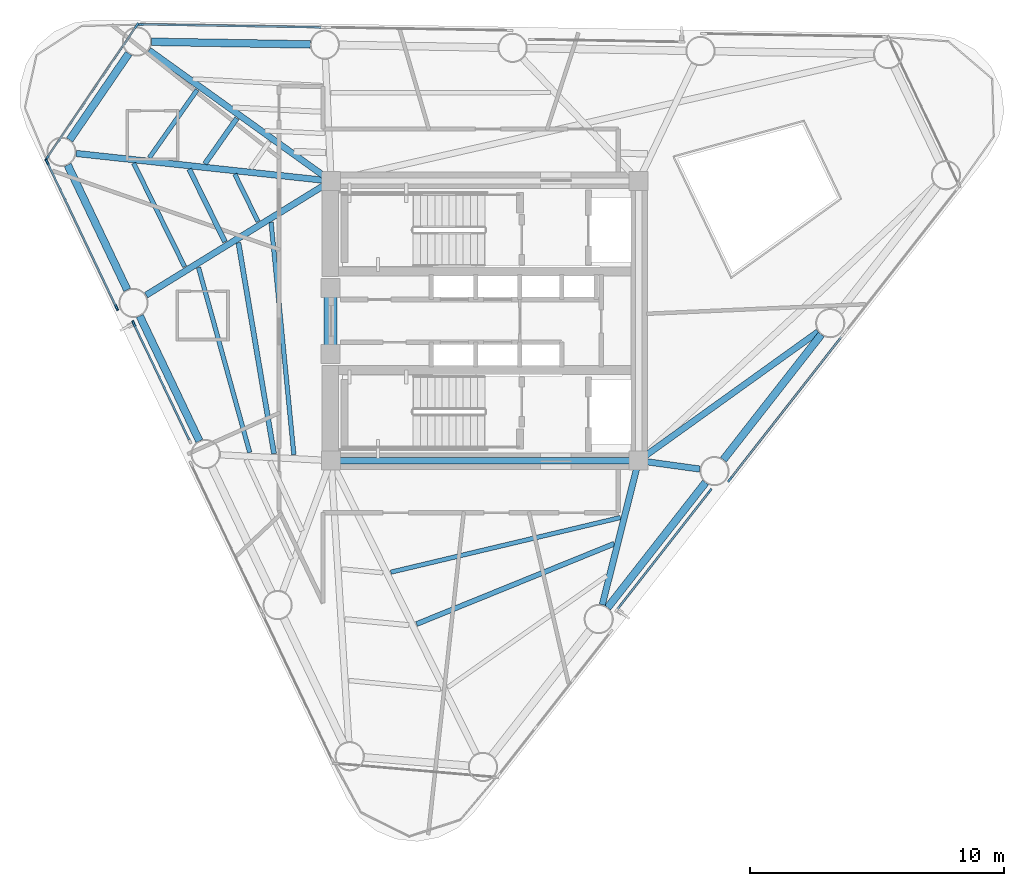
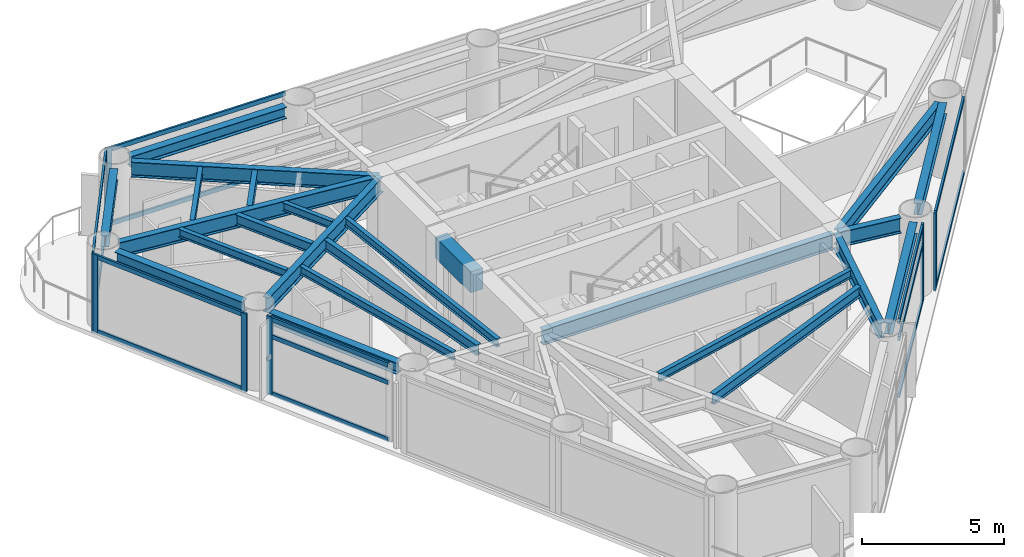
# One storey, part 2 of 9: 24 beams, 22 members, 6 elements without a shape of their own.
"""IFC4 building model written with IfcOpenShell, lengths in metres."""

from ifc_helpers import new_model, si_unit, direction, frame, origin, origin_2d, place, context, subcontext, project, spatial, rectangle, i_section, extrude, source, transform, mapped, material, layer, layer_set, material_profile, profile_set, type_object, element, aggregate, save


model = new_model("IFC4")

# Units and contexts
model_context = context("Model", 3, precision=1e-05, world=origin(), true_north=direction((0.0, 1.0)))
body_context = subcontext(model_context, "Body", "Model", "MODEL_VIEW")
ifc_project = project(units=[si_unit("LENGTHUNIT", "METRE"), si_unit("AREAUNIT", "SQUARE_METRE"), si_unit("VOLUMEUNIT", "CUBIC_METRE"), si_unit("PLANEANGLEUNIT", "RADIAN"), si_unit("MASSUNIT", "GRAM", prefix="KILO")], contexts=[model_context])

# Site, building, storey
site_placement = place(None, origin())
site = spatial("IfcSite", under=ifc_project, at=site_placement, CompositionType="ELEMENT")
building_placement = place(site_placement, origin())
building = spatial("IfcBuilding", under=site, at=building_placement, Name="Yunling Apex Tower", CompositionType="ELEMENT")
storey_placement = place(building_placement, frame((0.0, 0.0, 208.699951171875)))
storey = spatial("IfcBuildingStorey", under=building, at=storey_placement, Name="L51", CompositionType="ELEMENT", Elevation=208.699951171875)

# Beams
ifc_material_1 = material(Name="Concrete C50", Category="concrete")
ifc_material_profile_1 = material_profile(ifc_material_1, rectangle(XDim=0.5, YDim=0.89990234375, at=origin_2d()))
ifc_profile_set_1 = profile_set([ifc_material_profile_1], Name="Concrete C50")
beam_type_1 = type_object("IfcBeamType", Name="BC-CPL-2", PredefinedType="BEAM", material=ifc_profile_set_1)
shared_shape_1 = source(origin(), body_context, "Body", "SweptSolid", [
    extrude(rectangle(XDim=0.5, YDim=0.89990234375, at=origin_2d()), origin(), (0.0, 0.0, 1.0), 2.5),
])
beam_1_placement = place(storey_placement, frame((-6.074951171875, -1.25, 2.820068359375), z_axis=(0.0, 1.0, 0.0), x_axis=(-1.0, 0.0, 0.0)))
element("IfcBeam", 1, at=beam_1_placement, inside=storey, type_object=beam_type_1, Name="L51 Core West Portal Coupling Beam", PredefinedType="BEAM", context=body_context, shape_type="MappedRepresentation", body=[
    mapped(shared_shape_1, transform((0.0, 0.0, 0.0), scale=1.0)),
])
ifc_material_2 = material(Name="Steel Q355B", Category="steel")
ifc_material_profile_2 = material_profile(ifc_material_2, i_section(OverallWidth=0.25, OverallDepth=0.64990234375, WebThickness=0.011962890625, FlangeThickness=0.02001953125, FilletRadius=0.02392578125, at=origin_2d()))
ifc_profile_set_2 = profile_set([ifc_material_profile_2], Name="Steel Q355B")
beam_type_2 = type_object("IfcBeamType", Name="BG-PRI-4", PredefinedType="USERDEFINED", material=ifc_profile_set_2)
shared_shape_2 = source(origin(), body_context, "Body", "SweptSolid", [
    extrude(i_section(OverallWidth=0.25, OverallDepth=0.64990234375, WebThickness=0.011962890625, FlangeThickness=0.02001953125, FilletRadius=0.02392578125, at=origin_2d()), origin(), (0.0, 0.0, 1.0), 11.7998046875),
])
beam_2_placement = place(storey_placement, frame((-5.89990234375, -5.5, 2.945068359375), z_axis=(1.0, 0.0, 0.0), x_axis=(0.0, 1.0, 0.0)))
element("IfcBeam", 2, at=beam_2_placement, inside=storey, type_object=beam_type_2, Name="L51 Core Ring Tie Beam 1", ObjectType="GIRDER", PredefinedType="USERDEFINED", context=body_context, shape_type="MappedRepresentation", body=[
    mapped(shared_shape_2, transform((0.0, 0.0, 0.0), scale=1.0)),
])
ifc_material_profile_3 = material_profile(ifc_material_2, i_section(OverallWidth=0.300048828125, OverallDepth=0.489990234375, WebThickness=0.010986328125, FlangeThickness=0.01806640625, FilletRadius=0.02197265625, at=origin_2d()))
ifc_profile_set_3 = profile_set([ifc_material_profile_3], Name="Steel Q355B")
beam_type_3 = type_object("IfcBeamType", Name="BP-SPN-2", PredefinedType="SPANDREL", material=ifc_profile_set_3)
shared_shape_3 = source(origin(), body_context, "Body", "SweptSolid", [
    extrude(i_section(OverallWidth=0.300048828125, OverallDepth=0.489990234375, WebThickness=0.010986328125, FlangeThickness=0.01806640625, FilletRadius=0.02197265625, at=origin_2d()), origin(), (0.0, 0.0, 1.0), 6.253173828125),
])
for number, where, z_axis, x_axis, name in (
    (3, (4.831298828125, -11.2841796875, 3.025146484375), (0.61621666878, 0.787576673803, 0.0), (-0.787576673803, 0.61621666878, 0.0), "L51 Perimeter Spandrel Beam 2"),
    (4, (9.3857421875, -5.463134765625, 3.025146484375), (0.61621666878, 0.787576673803, 0.0), (-0.787576673803, 0.61621666878, 0.0), "L51 Perimeter Spandrel Beam 3"),
    (5, (-6.86669921875, 10.875, 3.025146484375), (-0.999859061432, 0.016788605428, 0.0), (-0.016788605428, -0.999859061432, 0.0), "L51 Perimeter Spandrel Beam 9"),
):
    element("IfcBeam", number, at=place(storey_placement, frame(where, z_axis=z_axis, x_axis=x_axis)), inside=storey, type_object=beam_type_3, Name=name, PredefinedType="SPANDREL", context=body_context, shape_type="MappedRepresentation", body=[
        mapped(shared_shape_3, transform((0.0, 0.0, 0.0), scale=1.0)),
    ])
shared_shape_4 = source(origin(), body_context, "Body", "SweptSolid", [
    extrude(i_section(OverallWidth=0.300048828125, OverallDepth=0.489990234375, WebThickness=0.010986328125, FlangeThickness=0.01806640625, FilletRadius=0.02197265625, at=origin_2d()), origin(), (0.0, 0.0, 1.0), 4.121337890625),
])
beam_3_placement = place(storey_placement, frame((-14.009033203125, 10.519775390625, 3.025146484375), z_axis=(-0.564775228093, -0.825244776858, 0.0), x_axis=(0.825244776858, -0.564775228093, 0.0)))
element("IfcBeam", 6, at=beam_3_placement, inside=storey, type_object=beam_type_3, Name="L51 Perimeter Spandrel Beam 10", PredefinedType="SPANDREL", context=body_context, shape_type="MappedRepresentation", body=[
    mapped(shared_shape_4, transform((0.0, 0.0, 0.0), scale=1.0)),
])
shared_shape_5 = source(origin(), body_context, "Body", "SweptSolid", [
    extrude(i_section(OverallWidth=0.300048828125, OverallDepth=0.489990234375, WebThickness=0.010986328125, FlangeThickness=0.01806640625, FilletRadius=0.02197265625, at=origin_2d()), origin(), (0.0, 0.0, 1.0), 5.4482421875),
])
for number, where, z_axis, x_axis, name in (
    (7, (-16.4130859375, 6.135498046875, 3.025146484375), (0.430538797564, -0.902572071246, 0.0), (0.902572071246, 0.430538797564, 0.0), "L51 Perimeter Spandrel Beam 11"),
    (8, (-13.577392578125, 0.190673828125, 3.025146484375), (0.430502292287, -0.902589483839, 0.0), (0.902589483839, 0.430502292287, 0.0), "L51 Perimeter Spandrel Beam 12"),
):
    element("IfcBeam", number, at=place(storey_placement, frame(where, z_axis=z_axis, x_axis=x_axis)), inside=storey, type_object=beam_type_3, Name=name, PredefinedType="SPANDREL", context=body_context, shape_type="MappedRepresentation", body=[
        mapped(shared_shape_5, transform((0.0, 0.0, 0.0), scale=1.0)),
    ])
shared_shape_6 = source(origin(), body_context, "Body", "SweptSolid", [
    extrude(i_section(OverallWidth=0.25, OverallDepth=0.64990234375, WebThickness=0.011962890625, FlangeThickness=0.02001953125, FilletRadius=0.02392578125, at=origin_2d()), origin(), (0.0, 0.0, 1.0), 5.763427734375),
])
beam_4_placement = place(storey_placement, frame((4.623291015625, -11.166748046875, 2.945068359375), z_axis=(0.244159894622, 0.969734987436, 0.0), x_axis=(-0.969734987436, 0.244159894622, 0.0)))
element("IfcBeam", 9, at=beam_4_placement, inside=storey, type_object=beam_type_2, Name="L51 Radial Primary Girder R02", ObjectType="GIRDER", PredefinedType="USERDEFINED", context=body_context, shape_type="MappedRepresentation", body=[
    mapped(shared_shape_6, transform((0.0, 0.0, 0.0), scale=1.0)),
])
shared_shape_7 = source(origin(), body_context, "Body", "SweptSolid", [
    extrude(i_section(OverallWidth=0.25, OverallDepth=0.64990234375, WebThickness=0.011962890625, FlangeThickness=0.02001953125, FilletRadius=0.02392578125, at=origin_2d()), origin(), (0.0, 0.0, 1.0), 2.35009765625),
])
beam_5_placement = place(storey_placement, frame((8.45751953125, -5.831787109375, 2.945068359375), z_axis=(-0.990639545436, 0.136503813203, 0.0), x_axis=(-0.136503813203, -0.990639545436, 0.0)))
element("IfcBeam", 10, at=beam_5_placement, inside=storey, type_object=beam_type_2, Name="L51 Radial Primary Girder R03", ObjectType="GIRDER", PredefinedType="USERDEFINED", context=body_context, shape_type="MappedRepresentation", body=[
    mapped(shared_shape_7, transform((0.0, 0.0, 0.0), scale=1.0)),
])
shared_shape_8 = source(origin(), body_context, "Body", "SweptSolid", [
    extrude(i_section(OverallWidth=0.25, OverallDepth=0.64990234375, WebThickness=0.011962890625, FlangeThickness=0.02001953125, FilletRadius=0.02392578125, at=origin_2d()), origin(), (0.0, 0.0, 1.0), 8.616455078125),
])
beam_6_placement = place(storey_placement, frame((13.11572265625, -0.43017578125, 2.945068359375), z_axis=(-0.812487192657, -0.58297904059, 0.0), x_axis=(0.58297904059, -0.812487192657, 0.0)))
element("IfcBeam", 11, at=beam_6_placement, inside=storey, type_object=beam_type_2, Name="L51 Radial Primary Girder R04", ObjectType="GIRDER", PredefinedType="USERDEFINED", context=body_context, shape_type="MappedRepresentation", body=[
    mapped(shared_shape_8, transform((0.0, 0.0, 0.0), scale=1.0)),
])
shared_shape_9 = source(origin(), body_context, "Body", "SweptSolid", [
    extrude(i_section(OverallWidth=0.25, OverallDepth=0.64990234375, WebThickness=0.011962890625, FlangeThickness=0.02001953125, FilletRadius=0.02392578125, at=origin_2d()), origin(), (0.0, 0.0, 1.0), 8.742919921875),
])
beam_7_placement = place(storey_placement, frame((-13.21435546875, 10.649169921875, 2.945068359375), z_axis=(0.812022401907, -0.583626266373, 0.0), x_axis=(0.583626266373, 0.812022401907, 0.0)))
element("IfcBeam", 12, at=beam_7_placement, inside=storey, type_object=beam_type_2, Name="L51 Radial Primary Girder R10", ObjectType="GIRDER", PredefinedType="USERDEFINED", context=body_context, shape_type="MappedRepresentation", body=[
    mapped(shared_shape_9, transform((0.0, 0.0, 0.0), scale=1.0)),
])
shared_shape_10 = source(origin(), body_context, "Body", "SweptSolid", [
    extrude(i_section(OverallWidth=0.25, OverallDepth=0.64990234375, WebThickness=0.011962890625, FlangeThickness=0.02001953125, FilletRadius=0.02392578125, at=origin_2d()), origin(), (0.0, 0.0, 1.0), 10.007080078125),
])
beam_8_placement = place(storey_placement, frame((-16.078369140625, 6.586181640625, 2.945068359375), z_axis=(0.994184902243, -0.107686490111, 0.0), x_axis=(0.107686490111, 0.994184902243, 0.0)))
element("IfcBeam", 13, at=beam_8_placement, inside=storey, type_object=beam_type_2, Name="L51 Radial Primary Girder R11", ObjectType="GIRDER", PredefinedType="USERDEFINED", context=body_context, shape_type="MappedRepresentation", body=[
    mapped(shared_shape_10, transform((0.0, 0.0, 0.0), scale=1.0)),
])
shared_shape_11 = source(origin(), body_context, "Body", "SweptSolid", [
    extrude(i_section(OverallWidth=0.25, OverallDepth=0.64990234375, WebThickness=0.011962890625, FlangeThickness=0.02001953125, FilletRadius=0.02392578125, at=origin_2d()), origin(), (0.0, 0.0, 1.0), 8.4697265625),
])
beam_9_placement = place(storey_placement, frame((-13.326171875, 1.010498046875, 2.945068359375), z_axis=(0.851035190572, 0.525108659621, 0.0), x_axis=(-0.525108659621, 0.851035190572, 0.0)))
element("IfcBeam", 14, at=beam_9_placement, inside=storey, type_object=beam_type_2, Name="L51 Radial Primary Girder R12", ObjectType="GIRDER", PredefinedType="USERDEFINED", context=body_context, shape_type="MappedRepresentation", body=[
    mapped(shared_shape_11, transform((0.0, 0.0, 0.0), scale=1.0)),
])
ifc_material_profile_4 = material_profile(ifc_material_2, i_section(OverallWidth=0.199951171875, OverallDepth=0.449951171875, WebThickness=0.009033203125, FlangeThickness=0.013916015625, FilletRadius=0.01806640625, at=origin_2d()))
ifc_profile_set_4 = profile_set([ifc_material_profile_4], Name="Steel Q355B")
beam_type_4 = type_object("IfcBeamType", Name="BS-SEC-3", PredefinedType="BEAM", material=ifc_profile_set_4)
shared_shape_12 = source(origin(), body_context, "Body", "SweptSolid", [
    extrude(i_section(OverallWidth=0.199951171875, OverallDepth=0.449951171875, WebThickness=0.009033203125, FlangeThickness=0.013916015625, FilletRadius=0.01806640625, at=origin_2d()), origin(), (0.0, 0.0, 1.0), 8.396240234375),
])
beam_10_placement = place(storey_placement, frame((-2.684326171875, -11.9287109375, 3.045166015625), z_axis=(0.926431402479, 0.376463619092, 0.0), x_axis=(-0.376463619092, 0.926431402479, 0.0)))
element("IfcBeam", 15, at=beam_10_placement, inside=storey, type_object=beam_type_4, Name="L51 Composite Floor Beam BS-1", PredefinedType="BEAM", context=body_context, shape_type="MappedRepresentation", body=[
    mapped(shared_shape_12, transform((0.0, 0.0, 0.0), scale=1.0)),
])
ifc_material_profile_5 = material_profile(ifc_material_2, i_section(OverallWidth=0.175048828125, OverallDepth=0.35009765625, WebThickness=0.007080078125, FlangeThickness=0.010986328125, FilletRadius=0.013916015625, at=origin_2d()))
ifc_profile_set_5 = profile_set([ifc_material_profile_5], Name="Steel Q355B")
beam_type_5 = type_object("IfcBeamType", Name="BJ-JST-1", PredefinedType="JOIST", material=ifc_profile_set_5)
shared_shape_13 = source(origin(), body_context, "Body", "SweptSolid", [
    extrude(i_section(OverallWidth=0.175048828125, OverallDepth=0.35009765625, WebThickness=0.007080078125, FlangeThickness=0.010986328125, FilletRadius=0.013916015625, at=origin_2d()), origin(), (0.0, 0.0, 1.0), 9.2919921875),
])
beam_11_placement = place(storey_placement, frame((-3.69970703125, -9.88916015625, 3.094970703125), z_axis=(0.972847358166, 0.231447656523, 0.0), x_axis=(-0.231447656523, 0.972847358166, 0.0)))
element("IfcBeam", 16, at=beam_11_placement, inside=storey, type_object=beam_type_5, Name="L51 Composite Floor Joist BJ3-1", PredefinedType="JOIST", context=body_context, shape_type="MappedRepresentation", body=[
    mapped(shared_shape_13, transform((0.0, 0.0, 0.0), scale=1.0)),
])
shared_shape_14 = source(origin(), body_context, "Body", "SweptSolid", [
    extrude(i_section(OverallWidth=0.199951171875, OverallDepth=0.449951171875, WebThickness=0.009033203125, FlangeThickness=0.013916015625, FilletRadius=0.01806640625, at=origin_2d()), origin(), (0.0, 0.0, 1.0), 2.18505859375),
])
beam_12_placement = place(storey_placement, frame((-9.756591796875, 7.966796875, 3.045166015625), z_axis=(-0.57454920808, -0.818470040682, 0.0), x_axis=(0.818470040682, -0.57454920808, 0.0)))
element("IfcBeam", 17, at=beam_12_placement, inside=storey, type_object=beam_type_4, Name="L51 Composite Floor Beam BS-10", PredefinedType="BEAM", context=body_context, shape_type="MappedRepresentation", body=[
    mapped(shared_shape_14, transform((0.0, 0.0, 0.0), scale=1.0)),
])
shared_shape_15 = source(origin(), body_context, "Body", "SweptSolid", [
    extrude(i_section(OverallWidth=0.175048828125, OverallDepth=0.35009765625, WebThickness=0.007080078125, FlangeThickness=0.010986328125, FilletRadius=0.013916015625, at=origin_2d()), origin(), (0.0, 0.0, 1.0), 3.270263671875),
])
beam_13_placement = place(storey_placement, frame((-11.318603515625, 9.089599609375, 3.094970703125), z_axis=(-0.575524843555, -0.817784295797, 0.0), x_axis=(0.817784295797, -0.575524843555, 0.0)))
element("IfcBeam", 18, at=beam_13_placement, inside=storey, type_object=beam_type_5, Name="L51 Composite Floor Joist BJ1-10", PredefinedType="JOIST", context=body_context, shape_type="MappedRepresentation", body=[
    mapped(shared_shape_15, transform((0.0, 0.0, 0.0), scale=1.0)),
])
shared_shape_16 = source(origin(), body_context, "Body", "SweptSolid", [
    extrude(i_section(OverallWidth=0.199951171875, OverallDepth=0.449951171875, WebThickness=0.009033203125, FlangeThickness=0.013916015625, FilletRadius=0.01806640625, at=origin_2d()), origin(), (0.0, 0.0, 1.0), 3.1845703125),
])
beam_14_placement = place(storey_placement, frame((-11.63037109375, 5.968505859375, 3.045166015625), z_axis=(0.441285246196, -0.897366887895, 0.0), x_axis=(0.897366887895, 0.441285246196, 0.0)))
element("IfcBeam", 19, at=beam_14_placement, inside=storey, type_object=beam_type_4, Name="L51 Composite Floor Beam BS-11", PredefinedType="BEAM", context=body_context, shape_type="MappedRepresentation", body=[
    mapped(shared_shape_16, transform((0.0, 0.0, 0.0), scale=1.0)),
])
shared_shape_17 = source(origin(), body_context, "Body", "SweptSolid", [
    extrude(i_section(OverallWidth=0.175048828125, OverallDepth=0.35009765625, WebThickness=0.007080078125, FlangeThickness=0.010986328125, FilletRadius=0.013916015625, at=origin_2d()), origin(), (0.0, 0.0, 1.0), 4.541259765625),
])
beam_15_placement = place(storey_placement, frame((-13.81884765625, 6.205810546875, 3.094970703125), z_axis=(0.442066776363, -0.896982143209, 0.0), x_axis=(0.896982143209, 0.442066776363, 0.0)))
element("IfcBeam", 20, at=beam_15_placement, inside=storey, type_object=beam_type_5, Name="L51 Composite Floor Joist BJ1-11", PredefinedType="JOIST", context=body_context, shape_type="MappedRepresentation", body=[
    mapped(shared_shape_17, transform((0.0, 0.0, 0.0), scale=1.0)),
])
shared_shape_18 = source(origin(), body_context, "Body", "SweptSolid", [
    extrude(i_section(OverallWidth=0.175048828125, OverallDepth=0.35009765625, WebThickness=0.007080078125, FlangeThickness=0.010986328125, FilletRadius=0.013916015625, at=origin_2d()), origin(), (0.0, 0.0, 1.0), 2.07421875),
])
beam_16_placement = place(storey_placement, frame((-9.839599609375, 5.7744140625, 3.094970703125), z_axis=(0.439758949759, -0.898115842254, 0.0), x_axis=(0.898115842254, 0.439758949759, 0.0)))
element("IfcBeam", 21, at=beam_16_placement, inside=storey, type_object=beam_type_5, Name="L51 Composite Floor Joist BJ3-11", PredefinedType="JOIST", context=body_context, shape_type="MappedRepresentation", body=[
    mapped(shared_shape_18, transform((0.0, 0.0, 0.0), scale=1.0)),
])
shared_shape_19 = source(origin(), body_context, "Body", "SweptSolid", [
    extrude(i_section(OverallWidth=0.199951171875, OverallDepth=0.449951171875, WebThickness=0.009033203125, FlangeThickness=0.013916015625, FilletRadius=0.01806640625, at=origin_2d()), origin(), (0.0, 0.0, 1.0), 8.41943359375),
])
beam_17_placement = place(storey_placement, frame((-9.695556640625, 3.076416015625, 3.045166015625), z_axis=(0.16647230798, -0.986046130095, 0.0), x_axis=(0.986046130095, 0.16647230798, 0.0)))
element("IfcBeam", 22, at=beam_17_placement, inside=storey, type_object=beam_type_4, Name="L51 Composite Floor Beam BS-12", PredefinedType="BEAM", context=body_context, shape_type="MappedRepresentation", body=[
    mapped(shared_shape_19, transform((0.0, 0.0, 0.0), scale=1.0)),
])
shared_shape_20 = source(origin(), body_context, "Body", "SweptSolid", [
    extrude(i_section(OverallWidth=0.175048828125, OverallDepth=0.35009765625, WebThickness=0.007080078125, FlangeThickness=0.010986328125, FilletRadius=0.013916015625, at=origin_2d()), origin(), (0.0, 0.0, 1.0), 7.554931640625),
])
beam_18_placement = place(storey_placement, frame((-11.265380859375, 2.1015625, 3.094970703125), z_axis=(0.266700380195, -0.963779490965, 0.0), x_axis=(0.963779490965, 0.266700380195, 0.0)))
element("IfcBeam", 23, at=beam_18_placement, inside=storey, type_object=beam_type_5, Name="L51 Composite Floor Joist BJ1-12", PredefinedType="JOIST", context=body_context, shape_type="MappedRepresentation", body=[
    mapped(shared_shape_20, transform((0.0, 0.0, 0.0), scale=1.0)),
])
shared_shape_21 = source(origin(), body_context, "Body", "SweptSolid", [
    extrude(i_section(OverallWidth=0.175048828125, OverallDepth=0.35009765625, WebThickness=0.007080078125, FlangeThickness=0.010986328125, FilletRadius=0.013916015625, at=origin_2d()), origin(), (0.0, 0.0, 1.0), 9.183837890625),
])
beam_19_placement = place(storey_placement, frame((-8.4091796875, 3.87548828125, 3.094970703125), z_axis=(0.097534767925, -0.995232118174, 0.0), x_axis=(0.995232118174, 0.097534767925, 0.0)))
element("IfcBeam", 24, at=beam_19_placement, inside=storey, type_object=beam_type_5, Name="L51 Composite Floor Joist BJ3-12", PredefinedType="JOIST", context=body_context, shape_type="MappedRepresentation", body=[
    mapped(shared_shape_21, transform((0.0, 0.0, 0.0), scale=1.0)),
])

# Curtain wall, member
ifc_material_3 = material(Name="Bronze anodised aluminium", Category="aluminium")
ifc_layer = layer(ifc_material_3, 0.239990234375)
ifc_layer_set = layer_set([ifc_layer], Name="Bronze anodised aluminium")
curtain_wall_type = type_object("IfcCurtainWallType", Name="CW-SYS-3", PredefinedType="NOTDEFINED", material=ifc_layer_set)
curtain_wall_1_placement = place(storey_placement, origin())
curtain_wall_1 = element("IfcCurtainWall", 25, at=curtain_wall_1_placement, inside=storey, type_object=curtain_wall_type, Name="CW-L51-F1-B2", PredefinedType="NOTDEFINED")
ifc_material_profile_6 = material_profile(ifc_material_3, rectangle(XDim=0.080078125, YDim=0.239990234375, at=origin_2d()))
ifc_profile_set_6 = profile_set([ifc_material_profile_6], Name="Bronze anodised aluminium")
member_type_1 = type_object("IfcMemberType", Name="CW-MUL-3", PredefinedType="MULLION", material=ifc_profile_set_6)
shared_shape_22 = source(origin(), body_context, "Body", "SweptSolid", [
    extrude(rectangle(XDim=0.080078125, YDim=0.239990234375, at=origin_2d()), origin(), (0.0, 0.0, 1.0), 3.3701171875),
])
member_1_placement = place(storey_placement, frame((8.846923828125, -6.70361328125, -0.050048828125), z_axis=(0.0, 0.0, 1.0), x_axis=(-0.787576499109, 0.616216892053, 0.0)))
member_1 = element("IfcMember", 26, at=member_1_placement, type_object=member_type_1, Name="CW-SYS-3 mullion 2", PredefinedType="MULLION", context=body_context, shape_type="MappedRepresentation", body=[
    mapped(shared_shape_22, transform((0.0, 0.0, 0.0), scale=1.0)),
])

curtain_wall_2_placement = place(storey_placement, origin())
curtain_wall_2 = element("IfcCurtainWall", 27, at=curtain_wall_2_placement, inside=storey, type_object=curtain_wall_type, Name="CW-L51-F1-B3", PredefinedType="NOTDEFINED")
member_2_placement = place(storey_placement, frame((9.64453125, -6.23583984375, -0.050048828125), z_axis=(0.0, 0.0, 1.0), x_axis=(-0.787589332433, 0.616200489644, 0.0)))
member_2 = element("IfcMember", 28, at=member_2_placement, type_object=member_type_1, Name="CW-SYS-3 mullion 1", PredefinedType="MULLION", context=body_context, shape_type="MappedRepresentation", body=[
    mapped(shared_shape_22, transform((0.0, 0.0, 0.0), scale=1.0)),
])

curtain_wall_3_placement = place(storey_placement, origin())
curtain_wall_3 = element("IfcCurtainWall", 29, at=curtain_wall_3_placement, inside=storey, type_object=curtain_wall_type, Name="CW-L51-F2-B4", PredefinedType="NOTDEFINED")
member_3_placement = place(storey_placement, frame((-13.556396484375, 11.667236328125, -0.050048828125), z_axis=(0.0, 0.0, 1.0), x_axis=(-0.016761362354, -0.999859518498, 0.0)))
member_3 = element("IfcMember", 30, at=member_3_placement, type_object=member_type_1, Name="CW-SYS-3 mullion 2", PredefinedType="MULLION", context=body_context, shape_type="MappedRepresentation", body=[
    mapped(shared_shape_22, transform((0.0, 0.0, 0.0), scale=1.0)),
])

# Curtain wall, members
curtain_wall_4_placement = place(storey_placement, origin())
curtain_wall_4 = element("IfcCurtainWall", 31, at=curtain_wall_4_placement, inside=storey, type_object=curtain_wall_type, Name="CW-L51-CRN2", PredefinedType="NOTDEFINED")
member_4_placement = place(storey_placement, frame((-13.698974609375, 11.6162109375, -0.050048828125), z_axis=(0.0, 0.0, 1.0), x_axis=(0.828106898006, -0.56057021458, 0.0)))
member_4 = element("IfcMember", 32, at=member_4_placement, type_object=member_type_1, Name="CW-SYS-3 mullion 1", PredefinedType="MULLION", context=body_context, shape_type="MappedRepresentation", body=[
    mapped(shared_shape_22, transform((0.0, 0.0, 0.0), scale=1.0)),
])
member_5_placement = place(storey_placement, frame((-17.231201171875, 6.398193359375, -0.050048828125), z_axis=(0.0, 0.0, 1.0), x_axis=(0.828106898006, -0.56057021458, 0.0)))
member_5 = element("IfcMember", 33, at=member_5_placement, type_object=member_type_1, Name="CW-SYS-3 mullion 2", PredefinedType="MULLION", context=body_context, shape_type="MappedRepresentation", body=[
    mapped(shared_shape_22, transform((0.0, 0.0, 0.0), scale=1.0)),
])

curtain_wall_5_placement = place(storey_placement, origin())
curtain_wall_5 = element("IfcCurtainWall", 34, at=curtain_wall_5_placement, inside=storey, type_object=curtain_wall_type, Name="CW-L51-F3-B1", PredefinedType="NOTDEFINED")
member_6_placement = place(storey_placement, frame((-17.219970703125, 6.248046875, -0.050048828125), z_axis=(0.0, 0.0, 1.0), x_axis=(0.902582193367, 0.430517577128, 0.0)))
member_6 = element("IfcMember", 35, at=member_6_placement, type_object=member_type_1, Name="CW-SYS-3 mullion 1", PredefinedType="MULLION", context=body_context, shape_type="MappedRepresentation", body=[
    mapped(shared_shape_22, transform((0.0, 0.0, 0.0), scale=1.0)),
])
member_7_placement = place(storey_placement, frame((-14.48779296875, 0.52001953125, -0.050048828125), z_axis=(0.0, 0.0, 1.0), x_axis=(0.902582193367, 0.430517577128, 0.0)))
member_7 = element("IfcMember", 36, at=member_7_placement, type_object=member_type_1, Name="CW-SYS-3 mullion 2", PredefinedType="MULLION", context=body_context, shape_type="MappedRepresentation", body=[
    mapped(shared_shape_22, transform((0.0, 0.0, 0.0), scale=1.0)),
])

# Curtain wall, member
curtain_wall_6_placement = place(storey_placement, origin())
curtain_wall_6 = element("IfcCurtainWall", 37, at=curtain_wall_6_placement, inside=storey, type_object=curtain_wall_type, Name="CW-L51-F3-B2", PredefinedType="NOTDEFINED")
member_8_placement = place(storey_placement, frame((-13.810791015625, -0.110107421875, -0.050048828125), z_axis=(0.0, 0.0, 1.0), x_axis=(0.902583049107, 0.430515783062, 0.0)))
member_8 = element("IfcMember", 38, at=member_8_placement, type_object=member_type_1, Name="CW-SYS-3 mullion 1", PredefinedType="MULLION", context=body_context, shape_type="MappedRepresentation", body=[
    mapped(shared_shape_22, transform((0.0, 0.0, 0.0), scale=1.0)),
])

# Member
ifc_material_profile_7 = material_profile(ifc_material_3, rectangle(XDim=0.080078125, YDim=0.18505859375, at=origin_2d()))
ifc_profile_set_7 = profile_set([ifc_material_profile_7], Name="Bronze anodised aluminium")
member_type_2 = type_object("IfcMemberType", Name="CW-TRN-3", PredefinedType="USERDEFINED", material=ifc_profile_set_7)
shared_shape_23 = source(origin(), body_context, "Body", "SweptSolid", [
    extrude(rectangle(XDim=0.080078125, YDim=0.18505859375, at=origin_2d()), origin(), (0.0, 0.0, 1.0), 5.8388671875),
])
member_9_placement = place(storey_placement, frame((5.226806640625, -11.33056640625, 0.0400390625), z_axis=(0.616198894741, 0.787590580264, 0.0), x_axis=(-0.787590580264, 0.616198894741, 0.0)))
member_9 = element("IfcMember", 39, at=member_9_placement, type_object=member_type_2, Name="CW-SYS-3 transom 1.1", ObjectType="TRANSOM", PredefinedType="USERDEFINED", context=body_context, shape_type="MappedRepresentation", body=[
    mapped(shared_shape_23, transform((0.0, 0.0, 0.0), scale=1.0)),
])

member_10_placement = place(storey_placement, frame((5.226806640625, -11.33056640625, 2.4853515625), z_axis=(0.616198894741, 0.787590580264, 0.0), x_axis=(-0.787590580264, 0.616198894741, 0.0)))
member_10 = element("IfcMember", 40, at=member_10_placement, type_object=member_type_2, Name="CW-SYS-3 transom 1.2", ObjectType="TRANSOM", PredefinedType="USERDEFINED", context=body_context, shape_type="MappedRepresentation", body=[
    mapped(shared_shape_23, transform((0.0, 0.0, 0.0), scale=1.0)),
])

member_11_placement = place(storey_placement, frame((5.226806640625, -11.33056640625, 3.22998046875), z_axis=(0.616198894741, 0.787590580264, 0.0), x_axis=(-0.787590580264, 0.616198894741, 0.0)))
member_11 = element("IfcMember", 41, at=member_11_placement, type_object=member_type_2, Name="CW-SYS-3 transom 1.3", ObjectType="TRANSOM", PredefinedType="USERDEFINED", context=body_context, shape_type="MappedRepresentation", body=[
    mapped(shared_shape_23, transform((0.0, 0.0, 0.0), scale=1.0)),
])

aggregate(curtain_wall_1, [member_1, member_9, member_10, member_11])

shared_shape_24 = source(origin(), body_context, "Body", "SweptSolid", [
    extrude(rectangle(XDim=0.080078125, YDim=0.18505859375, at=origin_2d()), origin(), (0.0, 0.0, 1.0), 7.0791015625),
])
member_12_placement = place(storey_placement, frame((9.666748046875, -6.20751953125, 0.0400390625), z_axis=(0.616192015574, 0.78759596237, 0.0), x_axis=(-0.78759596237, 0.616192015574, 0.0)))
member_12 = element("IfcMember", 42, at=member_12_placement, type_object=member_type_2, Name="CW-SYS-3 transom 1.1", ObjectType="TRANSOM", PredefinedType="USERDEFINED", context=body_context, shape_type="MappedRepresentation", body=[
    mapped(shared_shape_24, transform((0.0, 0.0, 0.0), scale=1.0)),
])

member_13_placement = place(storey_placement, frame((9.666748046875, -6.20751953125, 3.22998046875), z_axis=(0.616192015574, 0.78759596237, 0.0), x_axis=(-0.78759596237, 0.616192015574, 0.0)))
member_13 = element("IfcMember", 43, at=member_13_placement, type_object=member_type_2, Name="CW-SYS-3 transom 1.2", ObjectType="TRANSOM", PredefinedType="USERDEFINED", context=body_context, shape_type="MappedRepresentation", body=[
    mapped(shared_shape_24, transform((0.0, 0.0, 0.0), scale=1.0)),
])

aggregate(curtain_wall_2, [member_2, member_12, member_13])

shared_shape_25 = source(origin(), body_context, "Body", "SweptSolid", [
    extrude(rectangle(XDim=0.080078125, YDim=0.18505859375, at=origin_2d()), origin(), (0.0, 0.0, 1.0), 7.078857421875),
])
member_14_placement = place(storey_placement, frame((-6.4423828125, 11.548095703125, 0.0400390625), z_axis=(-0.999859516724, 0.016761468219, 0.0), x_axis=(-0.016761468219, -0.999859516724, 0.0)))
member_14 = element("IfcMember", 44, at=member_14_placement, type_object=member_type_2, Name="CW-SYS-3 transom 1.1", ObjectType="TRANSOM", PredefinedType="USERDEFINED", context=body_context, shape_type="MappedRepresentation", body=[
    mapped(shared_shape_25, transform((0.0, 0.0, 0.0), scale=1.0)),
])

member_15_placement = place(storey_placement, frame((-6.4423828125, 11.548095703125, 3.22998046875), z_axis=(-0.999859516724, 0.016761468219, 0.0), x_axis=(-0.016761468219, -0.999859516724, 0.0)))
member_15 = element("IfcMember", 45, at=member_15_placement, type_object=member_type_2, Name="CW-SYS-3 transom 1.2", ObjectType="TRANSOM", PredefinedType="USERDEFINED", context=body_context, shape_type="MappedRepresentation", body=[
    mapped(shared_shape_25, transform((0.0, 0.0, 0.0), scale=1.0)),
])

aggregate(curtain_wall_3, [member_3, member_14, member_15])

shared_shape_26 = source(origin(), body_context, "Body", "SweptSolid", [
    extrude(rectangle(XDim=0.080078125, YDim=0.18505859375, at=origin_2d()), origin(), (0.0, 0.0, 1.0), 6.229248046875),
])
member_16_placement = place(storey_placement, frame((-13.71923828125, 11.58642578125, 0.0400390625), z_axis=(-0.560574268249, -0.828104153942, 0.0), x_axis=(0.828104153942, -0.560574268249, 0.0)))
member_16 = element("IfcMember", 46, at=member_16_placement, type_object=member_type_2, Name="CW-SYS-3 transom 1.1", ObjectType="TRANSOM", PredefinedType="USERDEFINED", context=body_context, shape_type="MappedRepresentation", body=[
    mapped(shared_shape_26, transform((0.0, 0.0, 0.0), scale=1.0)),
])

member_17_placement = place(storey_placement, frame((-13.71923828125, 11.58642578125, 3.22998046875), z_axis=(-0.560574268249, -0.828104153942, 0.0), x_axis=(0.828104153942, -0.560574268249, 0.0)))
member_17 = element("IfcMember", 47, at=member_17_placement, type_object=member_type_2, Name="CW-SYS-3 transom 1.2", ObjectType="TRANSOM", PredefinedType="USERDEFINED", context=body_context, shape_type="MappedRepresentation", body=[
    mapped(shared_shape_26, transform((0.0, 0.0, 0.0), scale=1.0)),
])

aggregate(curtain_wall_4, [member_4, member_5, member_16, member_17])

shared_shape_27 = source(origin(), body_context, "Body", "SweptSolid", [
    extrude(rectangle(XDim=0.080078125, YDim=0.18505859375, at=origin_2d()), origin(), (0.0, 0.0, 1.0), 6.2744140625),
])
member_18_placement = place(storey_placement, frame((-17.20458984375, 6.215576171875, 0.0400390625), z_axis=(0.430513491492, -0.902584142141, 0.0), x_axis=(0.902584142141, 0.430513491492, 0.0)))
member_18 = element("IfcMember", 48, at=member_18_placement, type_object=member_type_2, Name="CW-SYS-3 transom 1.1", ObjectType="TRANSOM", PredefinedType="USERDEFINED", context=body_context, shape_type="MappedRepresentation", body=[
    mapped(shared_shape_27, transform((0.0, 0.0, 0.0), scale=1.0)),
])

member_19_placement = place(storey_placement, frame((-17.20458984375, 6.215576171875, 3.22998046875), z_axis=(0.430513491492, -0.902584142141, 0.0), x_axis=(0.902584142141, 0.430513491492, 0.0)))
member_19 = element("IfcMember", 49, at=member_19_placement, type_object=member_type_2, Name="CW-SYS-3 transom 1.2", ObjectType="TRANSOM", PredefinedType="USERDEFINED", context=body_context, shape_type="MappedRepresentation", body=[
    mapped(shared_shape_27, transform((0.0, 0.0, 0.0), scale=1.0)),
])

aggregate(curtain_wall_5, [member_6, member_7, member_18, member_19])

shared_shape_28 = source(origin(), body_context, "Body", "SweptSolid", [
    extrude(rectangle(XDim=0.080078125, YDim=0.18505859375, at=origin_2d()), origin(), (0.0, 0.0, 1.0), 5.034423828125),
])
member_20_placement = place(storey_placement, frame((-13.795166015625, -0.142578125, 0.0400390625), z_axis=(0.430492583081, -0.902594114712, 0.0), x_axis=(0.902594114712, 0.430492583081, 0.0)))
member_20 = element("IfcMember", 50, at=member_20_placement, type_object=member_type_2, Name="CW-SYS-3 transom 1.1", ObjectType="TRANSOM", PredefinedType="USERDEFINED", context=body_context, shape_type="MappedRepresentation", body=[
    mapped(shared_shape_28, transform((0.0, 0.0, 0.0), scale=1.0)),
])

member_21_placement = place(storey_placement, frame((-13.795166015625, -0.142578125, 2.4853515625), z_axis=(0.430492583081, -0.902594114712, 0.0), x_axis=(0.902594114712, 0.430492583081, 0.0)))
member_21 = element("IfcMember", 51, at=member_21_placement, type_object=member_type_2, Name="CW-SYS-3 transom 1.2", ObjectType="TRANSOM", PredefinedType="USERDEFINED", context=body_context, shape_type="MappedRepresentation", body=[
    mapped(shared_shape_28, transform((0.0, 0.0, 0.0), scale=1.0)),
])

member_22_placement = place(storey_placement, frame((-13.795166015625, -0.142578125, 3.22998046875), z_axis=(0.430492583081, -0.902594114712, 0.0), x_axis=(0.902594114712, 0.430492583081, 0.0)))
member_22 = element("IfcMember", 52, at=member_22_placement, type_object=member_type_2, Name="CW-SYS-3 transom 1.3", ObjectType="TRANSOM", PredefinedType="USERDEFINED", context=body_context, shape_type="MappedRepresentation", body=[
    mapped(shared_shape_28, transform((0.0, 0.0, 0.0), scale=1.0)),
])

aggregate(curtain_wall_6, [member_8, member_20, member_21, member_22])

save(model, "model.ifc")
